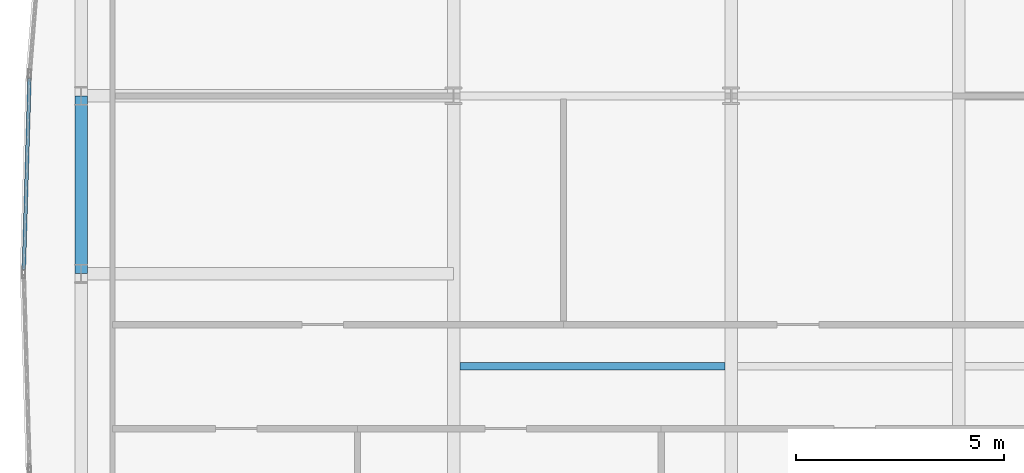
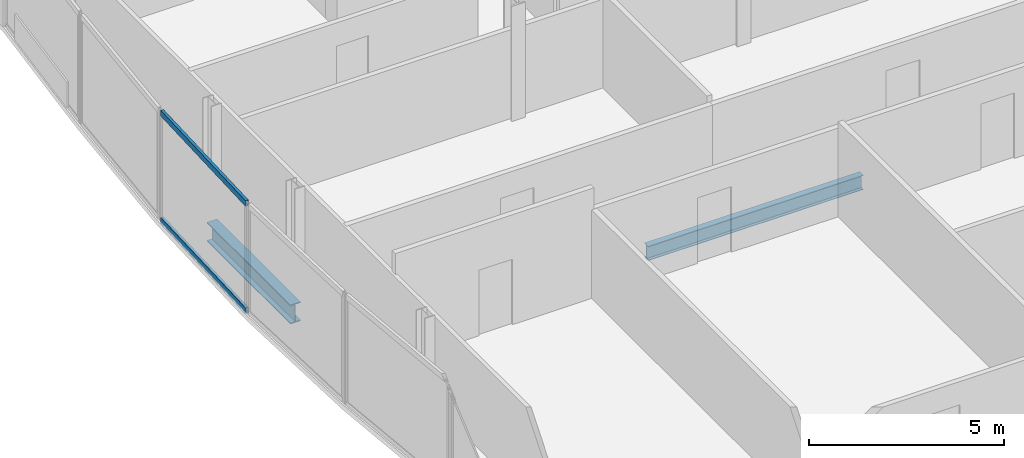
# One storey, part 11 of 29: 2 beams, 2 members, 1 element without a shape of its own.
"""IFC4 building model written with IfcOpenShell, lengths in metres."""

from ifc_helpers import new_model, si_unit, direction, frame, origin, origin_2d, place, context, subcontext, project, spatial, hollow_rectangle, i_section, extrude, material, material_profile, profile_set, type_object, element, aggregate, save


model = new_model("IFC4")

# Units and contexts
model_context = context("Model", 3, precision=1e-05, world=origin(), true_north=direction((0.0, 1.0)))
body_context = subcontext(model_context, "Body", "Model", "MODEL_VIEW")
ifc_project = project(units=[si_unit("LENGTHUNIT", "METRE"), si_unit("AREAUNIT", "SQUARE_METRE"), si_unit("VOLUMEUNIT", "CUBIC_METRE"), si_unit("PLANEANGLEUNIT", "RADIAN"), si_unit("MASSUNIT", "GRAM", prefix="KILO")], contexts=[model_context])

# Site, building, storey
site_placement = place(None, origin())
site = spatial("IfcSite", under=ifc_project, at=site_placement, CompositionType="ELEMENT")
building_placement = place(site_placement, origin())
building = spatial("IfcBuilding", under=site, at=building_placement, Name="Khoronbel Lancet Exchange", CompositionType="ELEMENT")
storey_placement = place(building_placement, frame((0.0, 0.0, 242.60009765625)))
storey = spatial("IfcBuildingStorey", under=building, at=storey_placement, Name="L62", CompositionType="ELEMENT", Elevation=242.60009765625)

# Beams
ifc_material_1 = material(Name="Steel S355", Category="steel")
ifc_material_profile_1 = material_profile(ifc_material_1, i_section(OverallWidth=0.18994140625, OverallDepth=0.449951171875, WebThickness=0.009521484375, FlangeThickness=0.0146484375, at=origin_2d()), Name="IPE 450")
ifc_profile_set_1 = profile_set([ifc_material_profile_1], Name="Steel S355")
beam_type_1 = type_object("IfcBeamType", Name="BM-BJ4", PredefinedType="JOIST", material=ifc_profile_set_1)
beam_1_placement = place(storey_placement, frame((18.375, 29.199951171875, -0.385009765625), z_axis=(1.0, 0.0, 0.0), x_axis=(0.0, 1.0, 0.0)))
element("IfcBeam", 1, at=beam_1_placement, inside=storey, type_object=beam_type_1, Name="Level L62 secondary composite joist J11", PredefinedType="JOIST", context=body_context, shape_type="SweptSolid", body=[
    extrude(i_section(OverallWidth=0.18994140625, OverallDepth=0.449951171875, WebThickness=0.009521484375, FlangeThickness=0.0146484375, at=origin_2d()), origin(), (0.0, 0.0, 1.0), 6.375),
])
ifc_material_profile_2 = material_profile(ifc_material_1, i_section(OverallWidth=0.300048828125, OverallDepth=0.60009765625, WebThickness=0.015380859375, FlangeThickness=0.030029296875, at=origin_2d()), Name="HEB 600")
ifc_profile_set_2 = profile_set([ifc_material_profile_2], Name="Steel S355")
beam_type_2 = type_object("IfcBeamType", Name="BM-BSP2", PredefinedType="SPANDREL", material=ifc_profile_set_2)
beam_2_placement = place(storey_placement, frame((9.27001953125, 35.699951171875, -0.460205078125), z_axis=(0.0, -1.0, 0.0), x_axis=(1.0, 0.0, 0.0)))
element("IfcBeam", 2, at=beam_2_placement, inside=storey, type_object=beam_type_2, Name="Level L62 perimeter spandrel beam SP18", PredefinedType="SPANDREL", context=body_context, shape_type="SweptSolid", body=[
    extrude(i_section(OverallWidth=0.300048828125, OverallDepth=0.60009765625, WebThickness=0.015380859375, FlangeThickness=0.030029296875, at=origin_2d()), origin(), (0.0, 0.0, 1.0), 4.27490234375),
])

# Curtain wall, members
ifc_material_2 = material(Name="Low-E Solar Control Insulating Glass", Category="glass")
curtain_wall_type = type_object("IfcCurtainWallType", Name="CW-4", PredefinedType="NOTDEFINED", material=ifc_material_2)
curtain_wall_placement = place(storey_placement, origin())
curtain_wall = element("IfcCurtainWall", 3, at=curtain_wall_placement, inside=storey, type_object=curtain_wall_type, Name="Unitised curtain wall CW-L62-E07", PredefinedType="NOTDEFINED")
ifc_material_3 = material(Name="Bronze-Anodised Aluminium 6063-T6", Category="aluminium")
ifc_material_profile_3 = material_profile(ifc_material_3, hollow_rectangle(XDim=0.0849609375, YDim=0.179931640625, WallThickness=0.0048828125, at=origin_2d()), Name="ALU TRANSOM 85x180")
ifc_profile_set_3 = profile_set([ifc_material_profile_3], Name="Bronze-Anodised Aluminium 6063-T6")
member_type = type_object("IfcMemberType", Name="MEM-CWT1", PredefinedType="USERDEFINED", material=ifc_profile_set_3)
member_1_placement = place(storey_placement, frame((7.892333984375, 31.52490234375, 0.04248046875), z_axis=(0.029580079929, 0.999562413695, 0.0), x_axis=(-0.999562413695, 0.029580079929, 0.0)))
member_1 = element("IfcMember", 4, at=member_1_placement, type_object=member_type, Name="CW4 transom 1.1", ObjectType="TRANSOM", PredefinedType="USERDEFINED", context=body_context, shape_type="SweptSolid", body=[
    extrude(hollow_rectangle(XDim=0.0849609375, YDim=0.179931640625, WallThickness=0.0048828125, at=origin_2d()), origin(), (0.0, 0.0, 1.0), 4.59716796875),
])
member_2_placement = place(storey_placement, frame((7.892333984375, 31.52490234375, 3.3974609375), z_axis=(0.029580079929, 0.999562413695, 0.0), x_axis=(-0.999562413695, 0.029580079929, 0.0)))
member_2 = element("IfcMember", 5, at=member_2_placement, type_object=member_type, Name="CW4 transom 1.2", ObjectType="TRANSOM", PredefinedType="USERDEFINED", context=body_context, shape_type="SweptSolid", body=[
    extrude(hollow_rectangle(XDim=0.0849609375, YDim=0.179931640625, WallThickness=0.0048828125, at=origin_2d()), origin(), (0.0, 0.0, 1.0), 4.59716796875),
])
aggregate(curtain_wall, [member_1, member_2])

save(model, "model.ifc")
